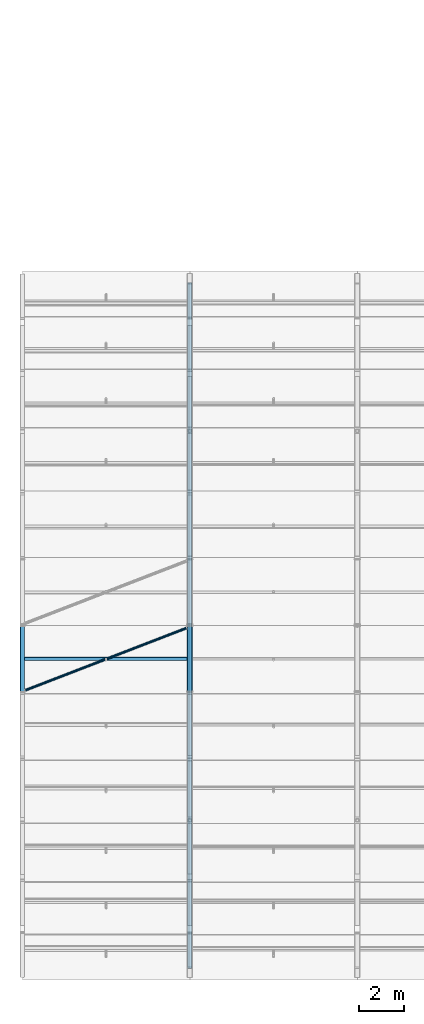
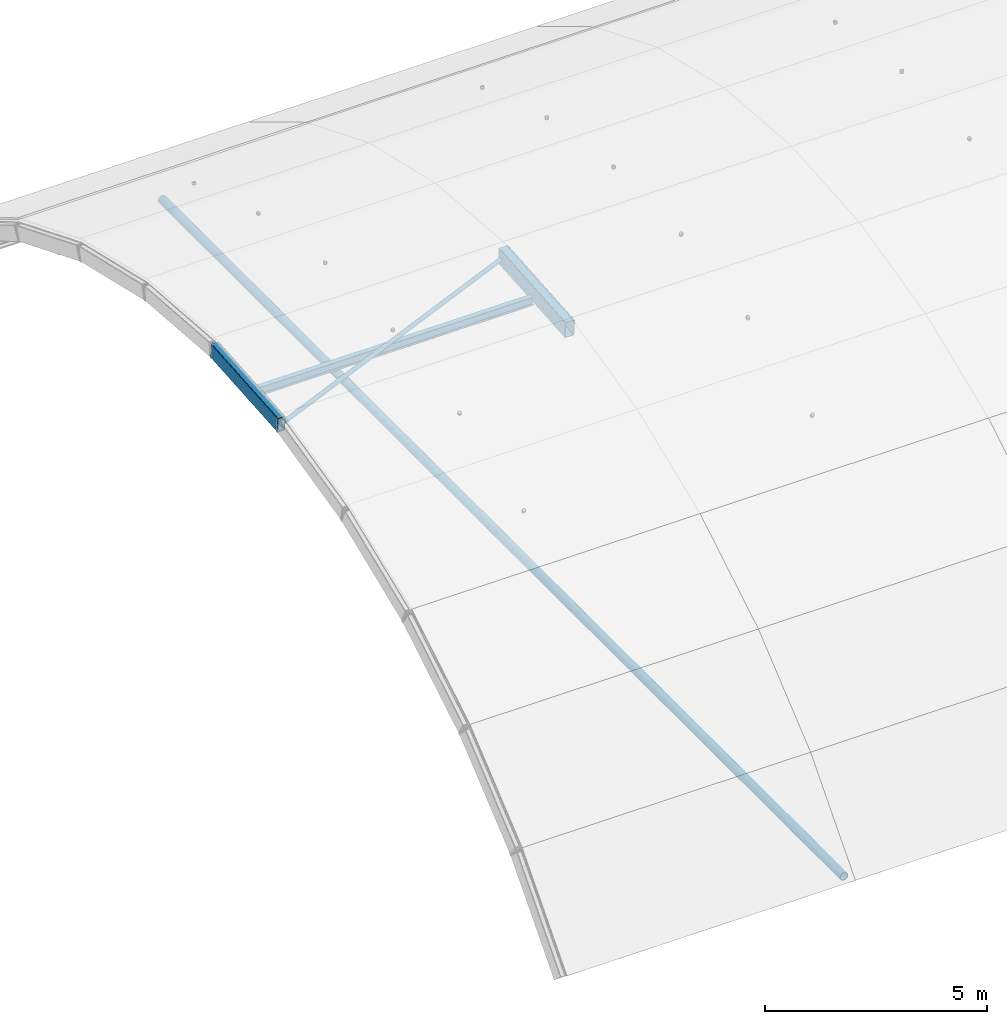
# One storey, part 6 of 77: 3 members, 2 beams.
"""IFC4 building model written with IfcOpenShell, lengths in metres."""

from ifc_helpers import new_model, si_unit, direction, frame, origin, origin_2d, place, context, subcontext, project, spatial, hollow_rectangle, hollow_circle, i_section, extrude, material, material_profile, profile_set, type_object, element, save


model = new_model("IFC4")

# Units and contexts
model_context = context("Model", 3, precision=1e-05, world=origin(), true_north=direction((0.0, 1.0)))
body_context = subcontext(model_context, "Body", "Model", "MODEL_VIEW")
ifc_project = project(units=[si_unit("LENGTHUNIT", "METRE"), si_unit("AREAUNIT", "SQUARE_METRE"), si_unit("VOLUMEUNIT", "CUBIC_METRE"), si_unit("PLANEANGLEUNIT", "RADIAN"), si_unit("MASSUNIT", "GRAM", prefix="KILO")], contexts=[model_context])

# Site, building, storey
site_placement = place(None, origin())
site = spatial("IfcSite", under=ifc_project, at=site_placement, CompositionType="ELEMENT")
building_placement = place(site_placement, origin())
building = spatial("IfcBuilding", under=site, at=building_placement, Name="Yukiwa Park Conservatory and Herbarium", CompositionType="ELEMENT")
storey_placement = place(building_placement, frame((0.0, 0.0, 13.199951171875)))
storey = spatial("IfcBuildingStorey", under=building, at=storey_placement, Name="L03", CompositionType="ELEMENT", Elevation=13.199951171875)

# Beams
ifc_material_1 = material(Name="Steel Q355D", Category="steel")
ifc_material_profile_1 = material_profile(ifc_material_1, hollow_rectangle(XDim=0.25, YDim=0.449951171875, WallThickness=0.013916015625, InnerFilletRadius=0.013916015625, OuterFilletRadius=0.028076171875, at=origin_2d()), Name="RHS 450x250x14")
ifc_profile_set_1 = profile_set([ifc_material_profile_1], Name="Steel Q355D")
beam_type_1 = type_object("IfcBeamType", Name="BM-VLT-ARCH450", PredefinedType="BEAM", material=ifc_profile_set_1)
beam_1_placement = place(storey_placement, frame((7.5, 12.598388671875, 3.36767578125), z_axis=(0.0, 0.997015721433, 0.077198777292), x_axis=(-1.0, 0.0, 0.0)))
element("IfcBeam", 1, at=beam_1_placement, inside=storey, type_object=beam_type_1, Name="Conservatory barrel vault arch rib 2 chord 6", PredefinedType="BEAM", context=body_context, shape_type="SweptSolid", body=[
    extrude(hollow_rectangle(XDim=0.25, YDim=0.449951171875, WallThickness=0.013916015625, InnerFilletRadius=0.013916015625, OuterFilletRadius=0.028076171875, at=origin_2d()), origin(), (0.0, 0.0, 1.0), 3.0107421875),
])
ifc_material_2 = material(Name="Steel Q355D", Category="steel")
ifc_material_profile_2 = material_profile(ifc_material_2, hollow_rectangle(XDim=0.199951171875, YDim=0.39990234375, WallThickness=0.011962890625, InnerFilletRadius=0.011962890625, OuterFilletRadius=0.02392578125, at=origin_2d()), Name="RHS 400x200x12")
ifc_profile_set_2 = profile_set([ifc_material_profile_2], Name="Steel Q355D")
beam_type_2 = type_object("IfcBeamType", Name="BM-VLT-GABLE400", PredefinedType="BEAM", material=ifc_profile_set_2)
beam_2_placement = place(storey_placement, frame((0.0, 12.598388671875, 3.36767578125), z_axis=(0.0, 0.997015721433, 0.077198777292), x_axis=(-1.0, 0.0, 0.0)))
element("IfcBeam", 2, at=beam_2_placement, inside=storey, type_object=beam_type_2, Name="Conservatory barrel vault arch rib 1 chord 6", PredefinedType="BEAM", context=body_context, shape_type="SweptSolid", body=[
    extrude(hollow_rectangle(XDim=0.199951171875, YDim=0.39990234375, WallThickness=0.011962890625, InnerFilletRadius=0.011962890625, OuterFilletRadius=0.02392578125, at=origin_2d()), origin(), (0.0, 0.0, 1.0), 3.0107421875),
])

# Members
ifc_material_3 = material(Name="Steel Q355D", Category="steel")
ifc_material_profile_3 = material_profile(ifc_material_3, i_section(OverallWidth=0.1240234375, OverallDepth=0.248046875, WebThickness=0.0048828125, FlangeThickness=0.008056640625, FilletRadius=0.011962890625, at=origin_2d()), Name="HN 248x124x5x8")
ifc_profile_set_3 = profile_set([ifc_material_profile_3], Name="Steel Q355D")
member_type_1 = type_object("IfcMemberType", Name="MB-VLT-PURL248", PredefinedType="PURLIN", material=ifc_profile_set_3)
member_1_placement = place(storey_placement, frame((0.0849609375, 14.114501953125, 3.284423828125), z_axis=(1.0, 0.0, 0.0), x_axis=(0.0, 0.997015814894, 0.077197570239)))
element("IfcMember", 3, at=member_1_placement, inside=storey, type_object=member_type_1, Name="Conservatory vault longitudinal purlin 1.6", PredefinedType="PURLIN", context=body_context, shape_type="SweptSolid", body=[
    extrude(i_section(OverallWidth=0.1240234375, OverallDepth=0.248046875, WebThickness=0.0048828125, FlangeThickness=0.008056640625, FilletRadius=0.011962890625, at=origin_2d()), origin(), (0.0, 0.0, 1.0), 7.330078125),
])
ifc_material_4 = material(Name="Steel Q355D", Category="steel")
ifc_material_profile_4 = material_profile(ifc_material_4, hollow_circle(Radius=0.109619140625, WallThickness=0.011962890625, at=origin_2d()), Name="CHS 219.1x12")
ifc_profile_set_4 = profile_set([ifc_material_profile_4], Name="Steel Q355D")
member_type_2 = type_object("IfcMemberType", Name="MB-VLT-TIE219", PredefinedType="COLLAR", material=ifc_profile_set_4)
member_2_placement = place(storey_placement, frame((7.5, 0.2451171875, -4.199951171875), z_axis=(0.0, 1.0, 0.0), x_axis=(-1.0, 0.0, 0.0)))
element("IfcMember", 4, at=member_2_placement, inside=storey, type_object=member_type_2, Name="Conservatory vault springing tension tie 2", PredefinedType="COLLAR", context=body_context, shape_type="SweptSolid", body=[
    extrude(hollow_circle(Radius=0.109619140625, WallThickness=0.011962890625, at=origin_2d()), origin(), (0.0, 0.0, 1.0), 30.7099609375),
])
ifc_material_5 = material(Name="Steel Q355D", Category="steel")
ifc_material_profile_5 = material_profile(ifc_material_5, hollow_circle(Radius=0.05712890625, WallThickness=0.006103515625, at=origin_2d()), Name="CHS 114.3x6")
ifc_profile_set_5 = profile_set([ifc_material_profile_5], Name="Steel Q355D")
member_type_3 = type_object("IfcMemberType", Name="MB-VLT-WBRACE114-EXT", PredefinedType="BRACE", material=ifc_profile_set_5)
member_3_placement = place(storey_placement, frame((0.1201171875, 12.6982421875, 3.32763671875), z_axis=(0.932518368986, 0.359886360051, 0.029854637049), x_axis=(-0.360046850583, 0.932934223504, 0.0)))
element("IfcMember", 5, at=member_3_placement, inside=storey, type_object=member_type_3, Name="Conservatory vault wind brace 1.5", PredefinedType="BRACE", context=body_context, shape_type="SweptSolid", body=[
    extrude(hollow_circle(Radius=0.05712890625, WallThickness=0.006103515625, at=origin_2d()), origin(), (0.0, 0.0, 1.0), 7.78515625),
])

save(model, "model.ifc")
